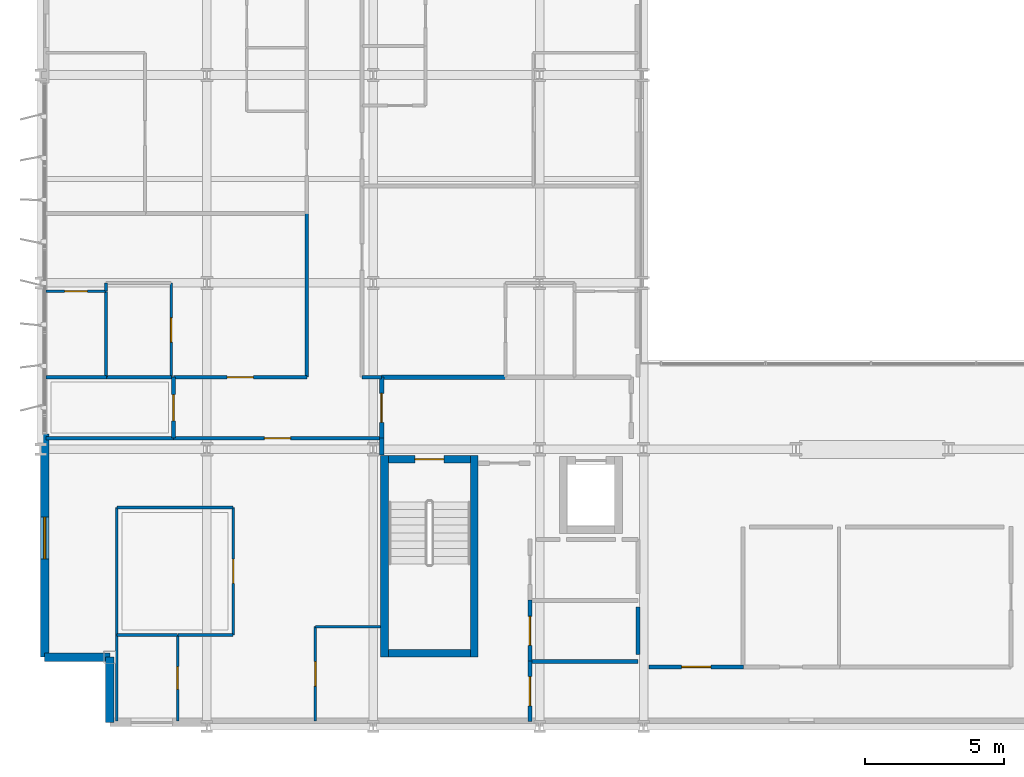
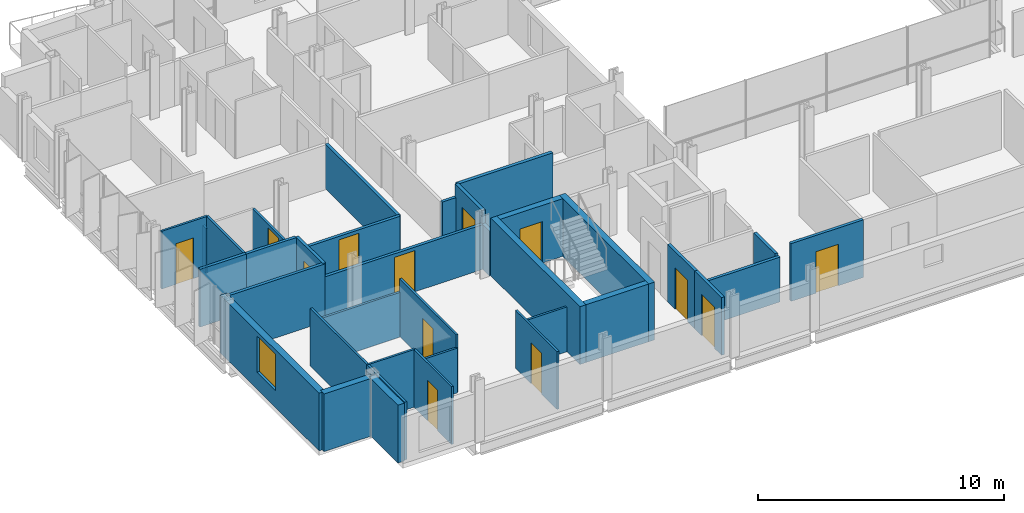
# One storey, part 27 of 38: 36 walls, 13 doors, 1 window, 14 openings.
"""IFC4 building model written with IfcOpenShell, lengths in metres."""

from ifc_helpers import new_model, si_unit, direction, frame, frame_2d, origin, place, context, subcontext, project, spatial, rectangle, extrude, material, layer, layer_set, type_object, element, fill, save


model = new_model("IFC4")

# Units and contexts
model_context = context("Model", 3, precision=1e-05, world=origin(), true_north=direction((0.0, 1.0)))
body_context = subcontext(model_context, "Body", "Model", "MODEL_VIEW")
ifc_project = project(units=[si_unit("LENGTHUNIT", "METRE"), si_unit("AREAUNIT", "SQUARE_METRE"), si_unit("VOLUMEUNIT", "CUBIC_METRE"), si_unit("PLANEANGLEUNIT", "RADIAN"), si_unit("MASSUNIT", "GRAM", prefix="KILO")], contexts=[model_context])

# Site, building, storey
site_placement = place(None, origin())
site = spatial("IfcSite", under=ifc_project, at=site_placement, CompositionType="ELEMENT")
building_placement = place(site_placement, origin())
building = spatial("IfcBuilding", under=site, at=building_placement, Name="Brevholm Reach", CompositionType="ELEMENT")
storey_placement = place(building_placement, frame((0.0, 0.0, 52.800048828125)))
storey = spatial("IfcBuildingStorey", under=building, at=storey_placement, Name="L14", CompositionType="ELEMENT", Elevation=52.800048828125)

# Walls
ifc_material_1 = material(Name="Concrete C50/60", Category="concrete")
ifc_layer_1 = layer(ifc_material_1, 0.280029296875)
ifc_layer_set_1 = layer_set([ifc_layer_1], Name="Concrete C50/60")
wall_type_1 = type_object("IfcWallType", Name="WAL-COR-280", PredefinedType="SHEAR", material=ifc_layer_set_1)
for number, where, z_axis, x_axis, name in (
    (1, (12.409912109375, 2.5, 0.0), (0.0, 0.0, 1.0), (0.0, 1.0, 0.0), "L14 Escape Stair ST-1 Core Wall W"),
    (2, (15.639892578125, 2.5, 0.0), (0.0, 0.0, 1.0), (0.0, 1.0, 0.0), "L14 Escape Stair ST-1 Core Wall E"),
):
    element("IfcWall", number, at=place(storey_placement, frame(where, z_axis=z_axis, x_axis=x_axis)), inside=storey, type_object=wall_type_1, Name=name, PredefinedType="SHEAR", context=body_context, shape_type="SweptSolid", body=[
        extrude(rectangle(XDim=7.280029296875, YDim=0.280029296875, at=frame_2d((3.64013671875, 0.0))), origin(), (0.0, 0.0, 1.0), 2.869873046875),
    ])
wall_1_placement = place(storey_placement, frame((12.550048828125, 2.639892578125, 0.0), z_axis=(0.0, 0.0, 1.0), x_axis=(1.0, 0.0, 0.0)))
element("IfcWall", 3, at=wall_1_placement, inside=storey, type_object=wall_type_1, Name="L14 Escape Stair ST-1 Core Wall S", PredefinedType="SHEAR", context=body_context, shape_type="SweptSolid", body=[
    extrude(rectangle(XDim=2.949951171875, YDim=0.280029296875, at=frame_2d((1.47509765625, 0.0))), origin(), (0.0, 0.0, 1.0), 2.869873046875),
])

# Wall, opening, door
wall_2_placement = place(storey_placement, frame((15.5, 9.639892578125, 0.0), z_axis=(0.0, 0.0, 1.0), x_axis=(-1.0, 0.0, 0.0)))
wall_2 = element("IfcWall", 4, at=wall_2_placement, inside=storey, type_object=wall_type_1, Name="L14 Escape Stair ST-1 Core Wall N", PredefinedType="SHEAR", context=body_context, shape_type="SweptSolid", body=[
    extrude(rectangle(XDim=2.949951171875, YDim=0.280029296875, at=frame_2d((1.47509765625, 0.0))), origin(), (0.0, 0.0, 1.0), 2.869873046875),
])
opening_1_placement = place(wall_2_placement, frame((0.949951171875, 0.0, 0.0)))
opening_1 = element("IfcOpeningElement", 5, at=opening_1_placement, cuts=wall_2, Name="Opening SD-ST-1", PredefinedType="OPENING", context=body_context, shape_type="SweptSolid", body=[
    extrude(rectangle(XDim=1.050048828125, YDim=2.06005859375, at=frame_2d((0.52490234375, 1.030029296875))), frame((0.0, 0.14990234375, 0.0), z_axis=(0.0, -1.0, 0.0), x_axis=(1.0, 0.0, 0.0)), (0.0, 0.0, 1.0), 0.300048828125),
])
ifc_material_2 = material(Name="Hardwood-Lipped Steel-Core Fire and Smoke Door", Category="steel")
door_type_1 = type_object("IfcDoorType", Name="DOR-INT-FD60S", OperationType="NOTDEFINED", PredefinedType="DOOR", material=ifc_material_2)
door_1_placement = place(opening_1_placement, origin())
door_1 = element("IfcDoor", 6, at=door_1_placement, inside=storey, type_object=door_type_1, Name="L14 Protected Stair ST-1 Lobby Door", OperationType="SINGLE_SWING_RIGHT", OverallHeight=2.06005859375, OverallWidth=1.050048828125, PredefinedType="DOOR", context=body_context, shape_type="SweptSolid", body=[
    extrude(rectangle(XDim=1.050048828125, YDim=2.06005859375, at=frame_2d((0.52490234375, 1.030029296875))), frame((0.0, 0.02490234375, 0.0), z_axis=(0.0, -1.0, 0.0), x_axis=(1.0, 0.0, 0.0)), (0.0, 0.0, 1.0), 0.050048828125),
])
fill(opening_1, door_1)

# Walls
ifc_material_3 = material(Name="Concrete C40/50", Category="concrete")
ifc_layer_2 = layer(ifc_material_3, 0.300048828125)
ifc_layer_set_2 = layer_set([ifc_layer_2], Name="Concrete C40/50")
wall_type_2 = type_object("IfcWallType", Name="WAL-EXT-300", PredefinedType="STANDARD", material=ifc_layer_set_2)
for number, where, z_axis, x_axis, name in (
    (7, (2.5, 2.5, 0.0), (0.0, 0.0, 1.0), (0.0, -1.0, 0.0), "L14 Facade Wall WAL-L14-CSW1"),
    (8, (0.14990234375, 2.5, 0.0), (0.0, 0.0, 1.0), (1.0, 0.0, 0.0), "L14 Facade Wall WAL-L14-CSW2"),
):
    element("IfcWall", number, at=place(storey_placement, frame(where, z_axis=z_axis, x_axis=x_axis)), inside=storey, type_object=wall_type_2, Name=name, PredefinedType="STANDARD", context=body_context, shape_type="SweptSolid", body=[
        extrude(rectangle(XDim=2.35009765625, YDim=0.300048828125, at=frame_2d((1.175048828125, 0.0))), origin(), (0.0, 0.0, 1.0), 2.869873046875),
    ])

# Wall, opening, window
wall_3_placement = place(storey_placement, frame((0.14990234375, 10.550048828125, 0.0), z_axis=(0.0, 0.0, 1.0), x_axis=(0.0, -1.0, 0.0)))
wall_3 = element("IfcWall", 9, at=wall_3_placement, inside=storey, type_object=wall_type_2, Name="L14 Facade Wall WAL-L14-W-S", PredefinedType="STANDARD", context=body_context, shape_type="SweptSolid", body=[
    extrude(rectangle(XDim=8.050048828125, YDim=0.300048828125, at=frame_2d((4.02490234375, 0.0))), origin(), (0.0, 0.0, 1.0), 2.869873046875),
])
opening_2_placement = place(wall_3_placement, frame((3.0, 0.0, 0.85009765625)))
opening_2 = element("IfcOpeningElement", 10, at=opening_2_placement, cuts=wall_3, Name="Opening WN-05", PredefinedType="OPENING", context=body_context, shape_type="SweptSolid", body=[
    extrude(rectangle(XDim=1.5, YDim=1.800048828125, at=frame_2d((0.75, 0.89990234375))), frame((0.0, 0.159912109375, 0.0), z_axis=(0.0, -1.0, 0.0), x_axis=(1.0, 0.0, 0.0)), (0.0, 0.0, 1.0), 0.320068359375),
])
ifc_material_4 = material(Name="Dark Anodised Aluminium and Solar-Control IGU Glass", Category="aluminium")
window_type = type_object("IfcWindowType", Name="WIN-RES-1500", PartitioningType="SINGLE_PANEL", PredefinedType="WINDOW", material=ifc_material_4)
window_placement = place(opening_2_placement, origin())
window = element("IfcWindow", 11, at=window_placement, inside=storey, type_object=window_type, Name="L14 Window WIN-L14-WS-1", OverallHeight=1.800048828125, OverallWidth=1.5, PartitioningType="SINGLE_PANEL", PredefinedType="WINDOW", context=body_context, shape_type="SweptSolid", body=[
    extrude(rectangle(XDim=1.5, YDim=1.800048828125, at=frame_2d((0.75, 0.89990234375))), frame((0.0, 0.030029296875, 0.0), z_axis=(0.0, -1.0, 0.0), x_axis=(1.0, 0.0, 0.0)), (0.0, 0.0, 1.0), 0.06005859375),
])
fill(opening_2, window)

# Wall
ifc_material_5 = material(Name="Moisture-Resistant Acoustic Gypsum Stud Partition 100 mm", Category="gypsum")
ifc_layer_3 = layer(ifc_material_5, 0.10009765625)
ifc_layer_set_3 = layer_set([ifc_layer_3], Name="Moisture-Resistant Acoustic Gypsum Stud Partition 100 mm")
wall_type_3 = type_object("IfcWallType", Name="WAL-PRT-100", PredefinedType="PARTITIONING", material=ifc_layer_set_3)
wall_4_placement = place(storey_placement, frame((2.75, 3.300048828125, 0.0), z_axis=(0.0, 0.0, 1.0), x_axis=(1.0, 0.0, 0.0)))
element("IfcWall", 12, at=wall_4_placement, inside=storey, type_object=wall_type_3, Name="L14 Internal Partition 056", PredefinedType="PARTITIONING", context=body_context, shape_type="SweptSolid", body=[
    extrude(rectangle(XDim=2.197021484375, YDim=0.10009765625, at=frame_2d((1.0986328125, 0.0))), origin(), (0.0, 0.0, 1.0), 2.869873046875),
])

# Wall, opening, door
wall_5_placement = place(storey_placement, frame((4.947021484375, 0.199951171875, 0.0), z_axis=(0.0, 0.0, 1.0), x_axis=(0.0, 1.0, 0.0)))
wall_5 = element("IfcWall", 13, at=wall_5_placement, inside=storey, type_object=wall_type_3, Name="L14 Internal Partition 057", PredefinedType="PARTITIONING", context=body_context, shape_type="SweptSolid", body=[
    extrude(rectangle(XDim=3.10009765625, YDim=0.10009765625, at=frame_2d((1.550048828125, 0.0))), origin(), (0.0, 0.0, 1.0), 2.869873046875),
])
opening_3_placement = place(wall_5_placement, frame((1.139892578125, 0.0, 0.0)))
opening_3 = element("IfcOpeningElement", 14, at=opening_3_placement, cuts=wall_5, Name="Opening ID-03", PredefinedType="OPENING", context=body_context, shape_type="SweptSolid", body=[
    extrude(rectangle(XDim=0.820068359375, YDim=2.02001953125, at=frame_2d((0.41015625, 1.010009765625))), frame((0.0, 0.06005859375, 0.0), z_axis=(0.0, -1.0, 0.0), x_axis=(1.0, 0.0, 0.0)), (0.0, 0.0, 1.0), 0.1201171875),
])
ifc_material_6 = material(Name="Moisture-Resistant Painted Timber Internal Bathroom Door", Category="wood")
door_type_2 = type_object("IfcDoorType", Name="DOR-BATH-820", OperationType="NOTDEFINED", PredefinedType="DOOR", material=ifc_material_6)
door_2_placement = place(opening_3_placement, origin())
door_2 = element("IfcDoor", 15, at=door_2_placement, inside=storey, type_object=door_type_2, Name="L14 Internal Door 027", OperationType="SINGLE_SWING_LEFT", OverallHeight=2.02001953125, OverallWidth=0.820068359375, PredefinedType="DOOR", context=body_context, shape_type="SweptSolid", body=[
    extrude(rectangle(XDim=0.820068359375, YDim=2.02001953125, at=frame_2d((0.41015625, 1.010009765625))), frame((0.0, 0.02490234375, 0.0), z_axis=(0.0, -1.0, 0.0), x_axis=(1.0, 0.0, 0.0)), (0.0, 0.0, 1.0), 0.050048828125),
])
fill(opening_3, door_2)

# Walls
wall_6_placement = place(storey_placement, frame((2.75, 0.199951171875, 0.0), z_axis=(0.0, 0.0, 1.0), x_axis=(0.0, 1.0, 0.0)))
element("IfcWall", 16, at=wall_6_placement, inside=storey, type_object=wall_type_3, Name="L14 Internal Partition 058", PredefinedType="PARTITIONING", context=body_context, shape_type="SweptSolid", body=[
    extrude(rectangle(XDim=3.10009765625, YDim=0.10009765625, at=frame_2d((1.550048828125, 0.0))), origin(), (0.0, 0.0, 1.0), 2.869873046875),
])
wall_7_placement = place(storey_placement, frame((9.912109375, 3.60009765625, 0.0), z_axis=(0.0, 0.0, 1.0), x_axis=(1.0, 0.0, 0.0)))
element("IfcWall", 17, at=wall_7_placement, inside=storey, type_object=wall_type_3, Name="L14 Internal Partition 059", PredefinedType="PARTITIONING", context=body_context, shape_type="SweptSolid", body=[
    extrude(rectangle(XDim=2.347900390625, YDim=0.10009765625, at=frame_2d((1.173828125, 0.0))), origin(), (0.0, 0.0, 1.0), 2.224853515625),
])

# Wall, opening, door
wall_8_placement = place(storey_placement, frame((9.912109375, 0.199951171875, 0.0), z_axis=(0.0, 0.0, 1.0), x_axis=(0.0, 1.0, 0.0)))
wall_8 = element("IfcWall", 18, at=wall_8_placement, inside=storey, type_object=wall_type_3, Name="L14 Internal Partition 060", PredefinedType="PARTITIONING", context=body_context, shape_type="SweptSolid", body=[
    extrude(rectangle(XDim=3.400146484375, YDim=0.10009765625, at=frame_2d((1.7001953125, 0.0))), origin(), (0.0, 0.0, 1.0), 2.869873046875),
])
opening_4_placement = place(wall_8_placement, frame((1.260009765625, 0.0, 0.0)))
opening_4 = element("IfcOpeningElement", 19, at=opening_4_placement, cuts=wall_8, Name="Opening ID-01", PredefinedType="OPENING", context=body_context, shape_type="SweptSolid", body=[
    extrude(rectangle(XDim=0.8798828125, YDim=2.0400390625, at=frame_2d((0.43994140625, 1.02001953125))), frame((0.0, 0.06005859375, 0.0), z_axis=(0.0, -1.0, 0.0), x_axis=(1.0, 0.0, 0.0)), (0.0, 0.0, 1.0), 0.1201171875),
])
ifc_material_7 = material(Name="Lacquered Ash Solid-Core Acoustic Internal Door", Category="timber")
door_type_3 = type_object("IfcDoorType", Name="DOR-INT-880", OperationType="NOTDEFINED", PredefinedType="DOOR", material=ifc_material_7)
door_3_placement = place(opening_4_placement, origin())
door_3 = element("IfcDoor", 20, at=door_3_placement, inside=storey, type_object=door_type_3, Name="L14 Internal Door 028", OperationType="SINGLE_SWING_RIGHT", OverallHeight=2.0400390625, OverallWidth=0.8798828125, PredefinedType="DOOR", context=body_context, shape_type="SweptSolid", body=[
    extrude(rectangle(XDim=0.8798828125, YDim=2.0400390625, at=frame_2d((0.43994140625, 1.02001953125))), frame((0.0, 0.02490234375, 0.0), z_axis=(0.0, -1.0, 0.0), x_axis=(1.0, 0.0, 0.0)), (0.0, 0.0, 1.0), 0.050048828125),
])
fill(opening_4, door_3)

# Wall
wall_9_placement = place(storey_placement, frame((4.950927734375, 3.300048828125, 0.0), z_axis=(0.0, 0.0, 1.0), x_axis=(1.0, 0.0, 0.0)))
element("IfcWall", 21, at=wall_9_placement, inside=storey, type_object=wall_type_3, Name="L14 Internal Partition 061", PredefinedType="PARTITIONING", context=body_context, shape_type="SweptSolid", body=[
    extrude(rectangle(XDim=1.9990234375, YDim=0.10009765625, at=frame_2d((0.99951171875, 0.0))), origin(), (0.0, 0.0, 1.0), 2.224853515625),
])

# Wall, opening, door
wall_10_placement = place(storey_placement, frame((6.949951171875, 3.300048828125, 0.0), z_axis=(0.0, 0.0, 1.0), x_axis=(0.0, 1.0, 0.0)))
wall_10 = element("IfcWall", 22, at=wall_10_placement, inside=storey, type_object=wall_type_3, Name="L14 Internal Partition 062", PredefinedType="PARTITIONING", context=body_context, shape_type="SweptSolid", body=[
    extrude(rectangle(XDim=4.599853515625, YDim=0.10009765625, at=frame_2d((2.2998046875, 0.0))), origin(), (0.0, 0.0, 1.0), 2.869873046875),
])
opening_5_placement = place(wall_10_placement, frame((1.860107421875, 0.0, 0.0)))
opening_5 = element("IfcOpeningElement", 23, at=opening_5_placement, cuts=wall_10, Name="Opening ID-01", PredefinedType="OPENING", context=body_context, shape_type="SweptSolid", body=[
    extrude(rectangle(XDim=0.8798828125, YDim=2.0400390625, at=frame_2d((0.43994140625, 1.02001953125))), frame((0.0, 0.06005859375, 0.0), z_axis=(0.0, -1.0, 0.0), x_axis=(1.0, 0.0, 0.0)), (0.0, 0.0, 1.0), 0.1201171875),
])
door_4_placement = place(opening_5_placement, origin())
door_4 = element("IfcDoor", 24, at=door_4_placement, inside=storey, type_object=door_type_3, Name="L14 Internal Door 029", OperationType="SINGLE_SWING_LEFT", OverallHeight=2.0400390625, OverallWidth=0.8798828125, PredefinedType="DOOR", context=body_context, shape_type="SweptSolid", body=[
    extrude(rectangle(XDim=0.8798828125, YDim=2.0400390625, at=frame_2d((0.43994140625, 1.02001953125))), frame((0.0, 0.02490234375, 0.0), z_axis=(0.0, -1.0, 0.0), x_axis=(1.0, 0.0, 0.0)), (0.0, 0.0, 1.0), 0.050048828125),
])
fill(opening_5, door_4)

# Walls
wall_11_placement = place(storey_placement, frame((2.75, 7.89990234375, 0.0), z_axis=(0.0, 0.0, 1.0), x_axis=(1.0, 0.0, 0.0)))
element("IfcWall", 25, at=wall_11_placement, inside=storey, type_object=wall_type_3, Name="L14 Internal Partition 063", PredefinedType="PARTITIONING", context=body_context, shape_type="SweptSolid", body=[
    extrude(rectangle(XDim=4.199951171875, YDim=0.10009765625, at=frame_2d((2.10009765625, 0.0))), origin(), (0.0, 0.0, 1.0), 2.224853515625),
])
wall_12_placement = place(storey_placement, frame((2.75, 3.303955078125, 0.0), z_axis=(0.0, 0.0, 1.0), x_axis=(0.0, 1.0, 0.0)))
element("IfcWall", 26, at=wall_12_placement, inside=storey, type_object=wall_type_3, Name="L14 Internal Partition 064", PredefinedType="PARTITIONING", context=body_context, shape_type="SweptSolid", body=[
    extrude(rectangle(XDim=4.595947265625, YDim=0.10009765625, at=frame_2d((2.2978515625, 0.0))), origin(), (0.0, 0.0, 1.0), 2.869873046875),
])
wall_13_placement = place(storey_placement, frame((2.362060546875, 12.60400390625, 0.0), z_axis=(0.0, 0.0, 1.0), x_axis=(0.0, 1.0, 0.0)))
element("IfcWall", 27, at=wall_13_placement, inside=storey, type_object=wall_type_3, Name="L14 Internal Partition 079", PredefinedType="PARTITIONING", context=body_context, shape_type="SweptSolid", body=[
    extrude(rectangle(XDim=3.095947265625, YDim=0.10009765625, at=frame_2d((1.5478515625, 0.0))), origin(), (0.0, 0.0, 1.0), 2.869873046875),
])

# Wall, opening, door
wall_14_placement = place(storey_placement, frame((0.199951171875, 15.699951171875, 0.0), z_axis=(0.0, 0.0, 1.0), x_axis=(1.0, 0.0, 0.0)))
wall_14 = element("IfcWall", 28, at=wall_14_placement, inside=storey, type_object=wall_type_3, Name="L14 Internal Partition 080", PredefinedType="PARTITIONING", context=body_context, shape_type="SweptSolid", body=[
    extrude(rectangle(XDim=2.162109375, YDim=0.10009765625, at=frame_2d((1.0810546875, 0.0))), origin(), (0.0, 0.0, 1.0), 2.869873046875),
])
opening_6_placement = place(wall_14_placement, frame((0.6708984375, 0.0, 0.0)))
opening_6 = element("IfcOpeningElement", 29, at=opening_6_placement, cuts=wall_14, Name="Opening ID-03", PredefinedType="OPENING", context=body_context, shape_type="SweptSolid", body=[
    extrude(rectangle(XDim=0.820068359375, YDim=2.02001953125, at=frame_2d((0.41015625, 1.010009765625))), frame((0.0, 0.06005859375, 0.0), z_axis=(0.0, -1.0, 0.0), x_axis=(1.0, 0.0, 0.0)), (0.0, 0.0, 1.0), 0.1201171875),
])
door_5_placement = place(opening_6_placement, origin())
door_5 = element("IfcDoor", 30, at=door_5_placement, inside=storey, type_object=door_type_2, Name="L14 Internal Door 033", OperationType="SINGLE_SWING_LEFT", OverallHeight=2.02001953125, OverallWidth=0.820068359375, PredefinedType="DOOR", context=body_context, shape_type="SweptSolid", body=[
    extrude(rectangle(XDim=0.820068359375, YDim=2.02001953125, at=frame_2d((0.41015625, 1.010009765625))), frame((0.0, 0.02490234375, 0.0), z_axis=(0.0, -1.0, 0.0), x_axis=(1.0, 0.0, 0.0)), (0.0, 0.0, 1.0), 0.050048828125),
])
fill(opening_6, door_5)

wall_15_placement = place(storey_placement, frame((4.7119140625, 12.60400390625, 0.0), z_axis=(0.0, 0.0, 1.0), x_axis=(0.0, 1.0, 0.0)))
wall_15 = element("IfcWall", 31, at=wall_15_placement, inside=storey, type_object=wall_type_3, Name="L14 Internal Partition 081", PredefinedType="PARTITIONING", context=body_context, shape_type="SweptSolid", body=[
    extrude(rectangle(XDim=3.39599609375, YDim=0.10009765625, at=frame_2d((1.697998046875, 0.0))), origin(), (0.0, 0.0, 1.0), 2.224853515625),
])
opening_7_placement = place(wall_15_placement, frame((1.258056640625, 0.0, 0.0)))
opening_7 = element("IfcOpeningElement", 32, at=opening_7_placement, cuts=wall_15, Name="Opening ID-01", PredefinedType="OPENING", context=body_context, shape_type="SweptSolid", body=[
    extrude(rectangle(XDim=0.8798828125, YDim=2.0400390625, at=frame_2d((0.43994140625, 1.02001953125))), frame((0.0, 0.06005859375, 0.0), z_axis=(0.0, -1.0, 0.0), x_axis=(1.0, 0.0, 0.0)), (0.0, 0.0, 1.0), 0.1201171875),
])
door_6_placement = place(opening_7_placement, origin())
door_6 = element("IfcDoor", 33, at=door_6_placement, inside=storey, type_object=door_type_3, Name="L14 Internal Door 034", OperationType="SINGLE_SWING_RIGHT", OverallHeight=2.0400390625, OverallWidth=0.8798828125, PredefinedType="DOOR", context=body_context, shape_type="SweptSolid", body=[
    extrude(rectangle(XDim=0.8798828125, YDim=2.0400390625, at=frame_2d((0.43994140625, 1.02001953125))), frame((0.0, 0.02490234375, 0.0), z_axis=(0.0, -1.0, 0.0), x_axis=(1.0, 0.0, 0.0)), (0.0, 0.0, 1.0), 0.050048828125),
])
fill(opening_7, door_6)

# Wall
wall_16_placement = place(storey_placement, frame((2.362060546875, 15.7041015625, 0.0), z_axis=(0.0, 0.0, 1.0), x_axis=(0.0, 1.0, 0.0)))
element("IfcWall", 34, at=wall_16_placement, inside=storey, type_object=wall_type_3, Name="L14 Internal Partition 083", PredefinedType="PARTITIONING", context=body_context, shape_type="SweptSolid", body=[
    extrude(rectangle(XDim=0.2958984375, YDim=0.10009765625, at=frame_2d((0.14794921875, 0.0))), origin(), (0.0, 0.0, 1.0), 2.224853515625),
])

# Wall, opening, door
ifc_material_8 = material(Name="Twin-Stud Acoustic Fire-Rated Gypsum Partition 140 mm", Category="gypsum")
ifc_layer_4 = layer(ifc_material_8, 0.139892578125)
ifc_layer_set_4 = layer_set([ifc_layer_4], Name="Twin-Stud Acoustic Fire-Rated Gypsum Partition 140 mm")
wall_type_4 = type_object("IfcWallType", Name="WAL-PRT-140", PredefinedType="PARTITIONING", material=ifc_layer_set_4)
wall_17_placement = place(storey_placement, frame((21.949951171875, 2.14990234375, 0.0), z_axis=(0.0, 0.0, 1.0), x_axis=(1.0, 0.0, 0.0)))
wall_17 = element("IfcWall", 35, at=wall_17_placement, inside=storey, type_object=wall_type_4, Name="L14 Internal Partition 002", PredefinedType="PARTITIONING", context=body_context, shape_type="SweptSolid", body=[
    extrude(rectangle(XDim=3.4013671875, YDim=0.139892578125, at=frame_2d((1.70068359375, 0.0))), origin(), (0.0, 0.0, 1.0), 2.869873046875),
])
opening_8_placement = place(wall_17_placement, frame((1.175537109375, 0.0, 0.0)))
opening_8 = element("IfcOpeningElement", 36, at=opening_8_placement, cuts=wall_17, Name="Opening FD-01", PredefinedType="OPENING", context=body_context, shape_type="SweptSolid", body=[
    extrude(rectangle(XDim=1.050048828125, YDim=2.06005859375, at=frame_2d((0.52490234375, 1.030029296875))), frame((0.0, 0.079833984375, 0.0), z_axis=(0.0, -1.0, 0.0), x_axis=(1.0, 0.0, 0.0)), (0.0, 0.0, 1.0), 0.159912109375),
])
door_7_placement = place(opening_8_placement, origin())
door_7 = element("IfcDoor", 37, at=door_7_placement, inside=storey, type_object=door_type_1, Name="L14 Internal Door 002", OperationType="SINGLE_SWING_RIGHT", OverallHeight=2.06005859375, OverallWidth=1.050048828125, PredefinedType="DOOR", context=body_context, shape_type="SweptSolid", body=[
    extrude(rectangle(XDim=1.050048828125, YDim=2.06005859375, at=frame_2d((0.52490234375, 1.030029296875))), frame((0.0, 0.02490234375, 0.0), z_axis=(0.0, -1.0, 0.0), x_axis=(1.0, 0.0, 0.0)), (0.0, 0.0, 1.0), 0.050048828125),
])
fill(opening_8, door_7)

wall_18_placement = place(storey_placement, frame((17.64990234375, 0.179931640625, 0.0), z_axis=(0.0, 0.0, 1.0), x_axis=(0.0, 1.0, 0.0)))
wall_18 = element("IfcWall", 38, at=wall_18_placement, inside=storey, type_object=wall_type_4, Name="L14 Internal Partition 007", PredefinedType="PARTITIONING", context=body_context, shape_type="SweptSolid", body=[
    extrude(rectangle(XDim=2.181396484375, YDim=0.139892578125, at=frame_2d((1.0908203125, 0.0))), origin(), (0.0, 0.0, 1.0), 2.869873046875),
])
opening_9_placement = place(wall_18_placement, frame((0.565673828125, 0.0, 0.0)))
opening_9 = element("IfcOpeningElement", 39, at=opening_9_placement, cuts=wall_18, Name="Opening FD-01", PredefinedType="OPENING", context=body_context, shape_type="SweptSolid", body=[
    extrude(rectangle(XDim=1.050048828125, YDim=2.06005859375, at=frame_2d((0.52490234375, 1.030029296875))), frame((0.0, 0.079833984375, 0.0), z_axis=(0.0, -1.0, 0.0), x_axis=(1.0, 0.0, 0.0)), (0.0, 0.0, 1.0), 0.159912109375),
])
door_8_placement = place(opening_9_placement, origin())
door_8 = element("IfcDoor", 40, at=door_8_placement, inside=storey, type_object=door_type_1, Name="L14 Internal Door 004", OperationType="SINGLE_SWING_RIGHT", OverallHeight=2.06005859375, OverallWidth=1.050048828125, PredefinedType="DOOR", context=body_context, shape_type="SweptSolid", body=[
    extrude(rectangle(XDim=1.050048828125, YDim=2.06005859375, at=frame_2d((0.52490234375, 1.030029296875))), frame((0.0, 0.02490234375, 0.0), z_axis=(0.0, -1.0, 0.0), x_axis=(1.0, 0.0, 0.0)), (0.0, 0.0, 1.0), 0.050048828125),
])
fill(opening_9, door_8)

wall_19_placement = place(storey_placement, frame((17.64990234375, 2.3427734375, 0.0), z_axis=(0.0, 0.0, 1.0), x_axis=(0.0, 1.0, 0.0)))
wall_19 = element("IfcWall", 41, at=wall_19_placement, inside=storey, type_object=wall_type_4, Name="L14 Internal Partition 008", PredefinedType="PARTITIONING", context=body_context, shape_type="SweptSolid", body=[
    extrude(rectangle(XDim=2.218505859375, YDim=0.139892578125, at=frame_2d((1.109375, 0.0))), origin(), (0.0, 0.0, 1.0), 2.869873046875),
])
opening_10_placement = place(wall_19_placement, frame((0.584228515625, 0.0, 0.0)))
opening_10 = element("IfcOpeningElement", 42, at=opening_10_placement, cuts=wall_19, Name="Opening FD-01", PredefinedType="OPENING", context=body_context, shape_type="SweptSolid", body=[
    extrude(rectangle(XDim=1.050048828125, YDim=2.06005859375, at=frame_2d((0.52490234375, 1.030029296875))), frame((0.0, 0.079833984375, 0.0), z_axis=(0.0, -1.0, 0.0), x_axis=(1.0, 0.0, 0.0)), (0.0, 0.0, 1.0), 0.159912109375),
])
door_9_placement = place(opening_10_placement, origin())
door_9 = element("IfcDoor", 43, at=door_9_placement, inside=storey, type_object=door_type_1, Name="L14 Internal Door 005", OperationType="SINGLE_SWING_LEFT", OverallHeight=2.06005859375, OverallWidth=1.050048828125, PredefinedType="DOOR", context=body_context, shape_type="SweptSolid", body=[
    extrude(rectangle(XDim=1.050048828125, YDim=2.06005859375, at=frame_2d((0.52490234375, 1.030029296875))), frame((0.0, 0.02490234375, 0.0), z_axis=(0.0, -1.0, 0.0), x_axis=(1.0, 0.0, 0.0)), (0.0, 0.0, 1.0), 0.050048828125),
])
fill(opening_10, door_9)

# Wall
wall_20_placement = place(storey_placement, frame((17.654052734375, 2.35009765625, 0.0), z_axis=(0.0, 0.0, 1.0), x_axis=(1.0, 0.0, 0.0)))
element("IfcWall", 44, at=wall_20_placement, inside=storey, type_object=wall_type_4, Name="L14 Internal Partition 011", PredefinedType="PARTITIONING", context=body_context, shape_type="SweptSolid", body=[
    extrude(rectangle(XDim=3.89599609375, YDim=0.139892578125, at=frame_2d((1.947998046875, 0.0))), origin(), (0.0, 0.0, 1.0), 2.224853515625),
])

# Wall, opening, door
wall_21_placement = place(storey_placement, frame((4.800048828125, 10.39990234375, 0.0), z_axis=(0.0, 0.0, 1.0), x_axis=(1.0, 0.0, 0.0)))
wall_21 = element("IfcWall", 45, at=wall_21_placement, inside=storey, type_object=wall_type_4, Name="L14 Internal Partition 027", PredefinedType="PARTITIONING", context=body_context, shape_type="SweptSolid", body=[
    extrude(rectangle(XDim=7.495849609375, YDim=0.139892578125, at=frame_2d((3.748046875, 0.0))), origin(), (0.0, 0.0, 1.0), 2.224853515625),
])
opening_11_placement = place(wall_21_placement, frame((3.27294921875, 0.0, 0.0)))
opening_11 = element("IfcOpeningElement", 46, at=opening_11_placement, cuts=wall_21, Name="Opening ID-30", PredefinedType="OPENING", context=body_context, shape_type="SweptSolid", body=[
    extrude(rectangle(XDim=0.949951171875, YDim=2.050048828125, at=frame_2d((0.47509765625, 1.02490234375))), frame((0.0, 0.079833984375, 0.0), z_axis=(0.0, -1.0, 0.0), x_axis=(1.0, 0.0, 0.0)), (0.0, 0.0, 1.0), 0.159912109375),
])
ifc_material_9 = material(Name="European Oak Veneered Solid-Core Fire Entrance Door", Category="timber")
door_type_4 = type_object("IfcDoorType", Name="DOR-FLT-FD30S", OperationType="NOTDEFINED", PredefinedType="DOOR", material=ifc_material_9)
door_10_placement = place(opening_11_placement, origin())
door_10 = element("IfcDoor", 47, at=door_10_placement, inside=storey, type_object=door_type_4, Name="L14 Internal Door 015", OperationType="SINGLE_SWING_LEFT", OverallHeight=2.050048828125, OverallWidth=0.949951171875, PredefinedType="DOOR", context=body_context, shape_type="SweptSolid", body=[
    extrude(rectangle(XDim=0.949951171875, YDim=2.050048828125, at=frame_2d((0.47509765625, 1.02490234375))), frame((0.0, 0.02490234375, 0.0), z_axis=(0.0, -1.0, 0.0), x_axis=(1.0, 0.0, 0.0)), (0.0, 0.0, 1.0), 0.050048828125),
])
fill(opening_11, door_10)

wall_22_placement = place(storey_placement, frame((4.800048828125, 10.39990234375, 0.0), z_axis=(0.0, 0.0, 1.0), x_axis=(0.0, 1.0, 0.0)))
wall_22 = element("IfcWall", 48, at=wall_22_placement, inside=storey, type_object=wall_type_4, Name="L14 Internal Partition 028", PredefinedType="PARTITIONING", context=body_context, shape_type="SweptSolid", body=[
    extrude(rectangle(XDim=2.2001953125, YDim=0.139892578125, at=frame_2d((1.10009765625, 0.0))), origin(), (0.0, 0.0, 1.0), 2.869873046875),
])
opening_12_placement = place(wall_22_placement, frame((0.625, 0.0, 0.0)))
opening_12 = element("IfcOpeningElement", 49, at=opening_12_placement, cuts=wall_22, Name="Opening ID-30", PredefinedType="OPENING", context=body_context, shape_type="SweptSolid", body=[
    extrude(rectangle(XDim=0.949951171875, YDim=2.050048828125, at=frame_2d((0.47509765625, 1.02490234375))), frame((0.0, 0.079833984375, 0.0), z_axis=(0.0, -1.0, 0.0), x_axis=(1.0, 0.0, 0.0)), (0.0, 0.0, 1.0), 0.159912109375),
])
door_11_placement = place(opening_12_placement, origin())
door_11 = element("IfcDoor", 50, at=door_11_placement, inside=storey, type_object=door_type_4, Name="L14 Internal Door 016", OperationType="SINGLE_SWING_RIGHT", OverallHeight=2.050048828125, OverallWidth=0.949951171875, PredefinedType="DOOR", context=body_context, shape_type="SweptSolid", body=[
    extrude(rectangle(XDim=0.949951171875, YDim=2.050048828125, at=frame_2d((0.47509765625, 1.02490234375))), frame((0.0, 0.02490234375, 0.0), z_axis=(0.0, -1.0, 0.0), x_axis=(1.0, 0.0, 0.0)), (0.0, 0.0, 1.0), 0.050048828125),
])
fill(opening_12, door_11)

wall_23_placement = place(storey_placement, frame((4.800048828125, 12.60009765625, 0.0), z_axis=(0.0, 0.0, 1.0), x_axis=(1.0, 0.0, 0.0)))
wall_23 = element("IfcWall", 51, at=wall_23_placement, inside=storey, type_object=wall_type_4, Name="L14 Internal Partition 029", PredefinedType="PARTITIONING", context=body_context, shape_type="SweptSolid", body=[
    extrude(rectangle(XDim=4.807373046875, YDim=0.139892578125, at=frame_2d((2.40380859375, 0.0))), origin(), (0.0, 0.0, 1.0), 2.224853515625),
])
opening_13_placement = place(wall_23_placement, frame((1.9287109375, 0.0, 0.0)))
opening_13 = element("IfcOpeningElement", 52, at=opening_13_placement, cuts=wall_23, Name="Opening ID-30", PredefinedType="OPENING", context=body_context, shape_type="SweptSolid", body=[
    extrude(rectangle(XDim=0.949951171875, YDim=2.050048828125, at=frame_2d((0.47509765625, 1.02490234375))), frame((0.0, 0.079833984375, 0.0), z_axis=(0.0, -1.0, 0.0), x_axis=(1.0, 0.0, 0.0)), (0.0, 0.0, 1.0), 0.159912109375),
])
door_12_placement = place(opening_13_placement, origin())
door_12 = element("IfcDoor", 53, at=door_12_placement, inside=storey, type_object=door_type_4, Name="L14 Internal Door 017", OperationType="SINGLE_SWING_LEFT", OverallHeight=2.050048828125, OverallWidth=0.949951171875, PredefinedType="DOOR", context=body_context, shape_type="SweptSolid", body=[
    extrude(rectangle(XDim=0.949951171875, YDim=2.050048828125, at=frame_2d((0.47509765625, 1.02490234375))), frame((0.0, 0.02490234375, 0.0), z_axis=(0.0, -1.0, 0.0), x_axis=(1.0, 0.0, 0.0)), (0.0, 0.0, 1.0), 0.050048828125),
])
fill(opening_13, door_12)

# Walls
wall_24_placement = place(storey_placement, frame((11.5927734375, 12.60009765625, 0.0), z_axis=(0.0, 0.0, 1.0), x_axis=(1.0, 0.0, 0.0)))
element("IfcWall", 54, at=wall_24_placement, inside=storey, type_object=wall_type_4, Name="L14 Internal Partition 030", PredefinedType="PARTITIONING", context=body_context, shape_type="SweptSolid", body=[
    extrude(rectangle(XDim=0.703125, YDim=0.139892578125, at=frame_2d((0.3515625, 0.0))), origin(), (0.0, 0.0, 1.0), 2.224853515625),
])
wall_25_placement = place(storey_placement, frame((9.60009765625, 12.60400390625, 0.0), z_axis=(0.0, 0.0, 1.0), x_axis=(0.0, 1.0, 0.0)))
element("IfcWall", 55, at=wall_25_placement, inside=storey, type_object=wall_type_4, Name="L14 Internal Partition 034", PredefinedType="PARTITIONING", context=body_context, shape_type="SweptSolid", body=[
    extrude(rectangle(XDim=5.9072265625, YDim=0.139892578125, at=frame_2d((2.95361328125, 0.0))), origin(), (0.0, 0.0, 1.0), 2.224853515625),
])
wall_26_placement = place(storey_placement, frame((0.199951171875, 10.39990234375, 0.0), z_axis=(0.0, 0.0, 1.0), x_axis=(1.0, 0.0, 0.0)))
element("IfcWall", 56, at=wall_26_placement, inside=storey, type_object=wall_type_4, Name="L14 Internal Partition 065", PredefinedType="PARTITIONING", context=body_context, shape_type="SweptSolid", body=[
    extrude(rectangle(XDim=4.595947265625, YDim=0.139892578125, at=frame_2d((2.2978515625, 0.0))), origin(), (0.0, 0.0, 1.0), 2.869873046875),
])
wall_27_placement = place(storey_placement, frame((0.199951171875, 12.60009765625, 0.0), z_axis=(0.0, 0.0, 1.0), x_axis=(1.0, 0.0, 0.0)))
element("IfcWall", 57, at=wall_27_placement, inside=storey, type_object=wall_type_4, Name="L14 Internal Partition 066", PredefinedType="PARTITIONING", context=body_context, shape_type="SweptSolid", body=[
    extrude(rectangle(XDim=2.17333984375, YDim=0.139892578125, at=frame_2d((1.086669921875, 0.0))), origin(), (0.0, 0.0, 1.0), 2.869873046875),
])
wall_28_placement = place(storey_placement, frame((2.354736328125, 12.60009765625, 0.0), z_axis=(0.0, 0.0, 1.0), x_axis=(1.0, 0.0, 0.0)))
element("IfcWall", 58, at=wall_28_placement, inside=storey, type_object=wall_type_4, Name="L14 Internal Partition 067", PredefinedType="PARTITIONING", context=body_context, shape_type="SweptSolid", body=[
    extrude(rectangle(XDim=2.36865234375, YDim=0.139892578125, at=frame_2d((1.184326171875, 0.0))), origin(), (0.0, 0.0, 1.0), 2.869873046875),
])
wall_29_placement = place(storey_placement, frame((21.550048828125, 2.590087890625, 0.0), z_axis=(0.0, 0.0, 1.0), x_axis=(0.0, 1.0, 0.0)))
element("IfcWall", 59, at=wall_29_placement, inside=storey, type_object=wall_type_4, Name="L14 Internal Partition 156", PredefinedType="PARTITIONING", context=body_context, shape_type="SweptSolid", body=[
    extrude(rectangle(XDim=1.719970703125, YDim=0.139892578125, at=frame_2d((0.85986328125, 0.0))), origin(), (0.0, 0.0, 1.0), 2.224853515625),
])

# Wall, opening, door
ifc_material_10 = material(Name="Twin-Frame Fire-Rated Gypsum Board and Mineral Wool 160 mm", Category="gypsum")
ifc_layer_5 = layer(ifc_material_10, 0.159912109375)
ifc_layer_set_5 = layer_set([ifc_layer_5], Name="Twin-Frame Fire-Rated Gypsum Board and Mineral Wool 160 mm")
wall_type_5 = type_object("IfcWallType", Name="WAL-PRT-160", PredefinedType="PARTITIONING", material=ifc_layer_set_5)
wall_30_placement = place(storey_placement, frame((12.300048828125, 10.388671875, 0.0), z_axis=(0.0, 0.0, 1.0), x_axis=(0.0, 1.0, 0.0)))
wall_30 = element("IfcWall", 60, at=wall_30_placement, inside=storey, type_object=wall_type_5, Name="L14 Internal Partition 017", PredefinedType="PARTITIONING", context=body_context, shape_type="SweptSolid", body=[
    extrude(rectangle(XDim=2.21142578125, YDim=0.159912109375, at=frame_2d((1.105712890625, 0.0))), origin(), (0.0, 0.0, 1.0), 2.869873046875),
])
opening_14_placement = place(wall_30_placement, frame((0.58056640625, 0.0, 0.0)))
opening_14 = element("IfcOpeningElement", 61, at=opening_14_placement, cuts=wall_30, Name="Opening FD-01", PredefinedType="OPENING", context=body_context, shape_type="SweptSolid", body=[
    extrude(rectangle(XDim=1.050048828125, YDim=2.06005859375, at=frame_2d((0.52490234375, 1.030029296875))), frame((0.0, 0.08984375, 0.0), z_axis=(0.0, -1.0, 0.0), x_axis=(1.0, 0.0, 0.0)), (0.0, 0.0, 1.0), 0.179931640625),
])
door_13_placement = place(opening_14_placement, origin())
door_13 = element("IfcDoor", 62, at=door_13_placement, inside=storey, type_object=door_type_1, Name="L14 Internal Door 011", OperationType="SINGLE_SWING_LEFT", OverallHeight=2.06005859375, OverallWidth=1.050048828125, PredefinedType="DOOR", context=body_context, shape_type="SweptSolid", body=[
    extrude(rectangle(XDim=1.050048828125, YDim=2.06005859375, at=frame_2d((0.52490234375, 1.030029296875))), frame((0.0, 0.02490234375, 0.0), z_axis=(0.0, -1.0, 0.0), x_axis=(1.0, 0.0, 0.0)), (0.0, 0.0, 1.0), 0.050048828125),
])
fill(opening_14, door_13)

# Walls
wall_31_placement = place(storey_placement, frame((12.300048828125, 9.7900390625, 0.0), z_axis=(0.0, 0.0, 1.0), x_axis=(0.0, 1.0, 0.0)))
element("IfcWall", 63, at=wall_31_placement, inside=storey, type_object=wall_type_5, Name="L14 Internal Partition 019", PredefinedType="PARTITIONING", context=body_context, shape_type="SweptSolid", body=[
    extrude(rectangle(XDim=0.6171875, YDim=0.159912109375, at=frame_2d((0.30859375, 0.0))), origin(), (0.0, 0.0, 1.0), 2.224853515625),
])
wall_32_placement = place(storey_placement, frame((12.300048828125, 12.60009765625, 0.0), z_axis=(0.0, 0.0, 1.0), x_axis=(1.0, 0.0, 0.0)))
element("IfcWall", 64, at=wall_32_placement, inside=storey, type_object=wall_type_5, Name="L14 Internal Partition 022", PredefinedType="PARTITIONING", context=body_context, shape_type="SweptSolid", body=[
    extrude(rectangle(XDim=4.480224609375, YDim=0.159912109375, at=frame_2d((2.240234375, 0.0))), origin(), (0.0, 0.0, 1.0), 2.869873046875),
])

save(model, "model.ifc")
